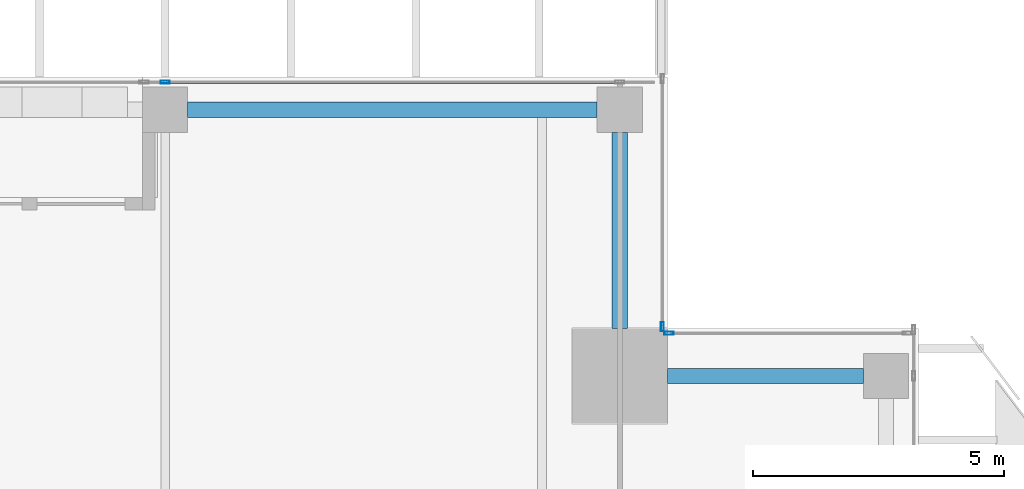
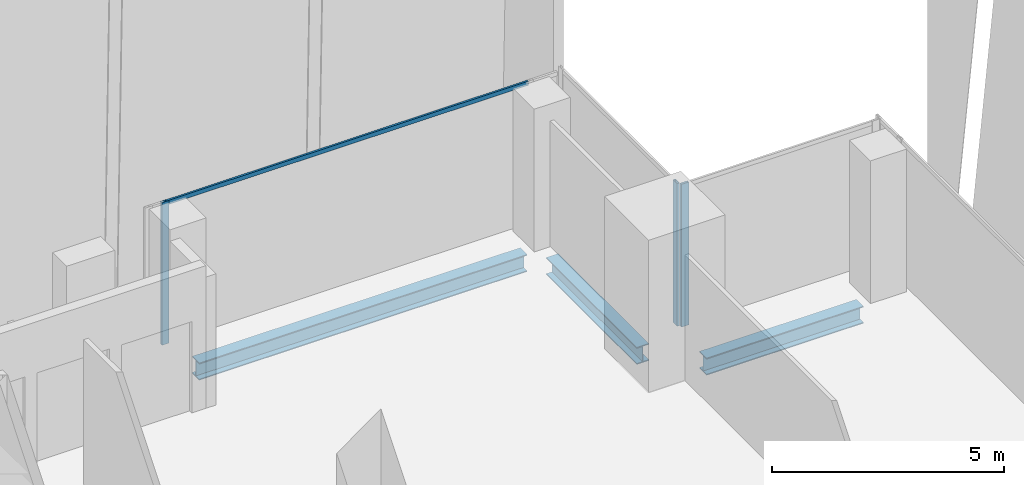
# One storey, part 18 of 33: 4 members, 3 beams, 3 elements without a shape of their own.
"""IFC4 building model written with IfcOpenShell, lengths in metres."""

from ifc_helpers import new_model, si_unit, direction, frame, origin, origin_2d, place, context, subcontext, project, spatial, hollow_rectangle, i_section, extrude, source, transform, mapped, material, material_profile, profile_set, type_object, element, aggregate, save


model = new_model("IFC4")

# Units and contexts
model_context = context("Model", 3, precision=1e-05, world=origin(), true_north=direction((0.0, 1.0)))
body_context = subcontext(model_context, "Body", "Model", "MODEL_VIEW")
ifc_project = project(units=[si_unit("LENGTHUNIT", "METRE"), si_unit("AREAUNIT", "SQUARE_METRE"), si_unit("VOLUMEUNIT", "CUBIC_METRE"), si_unit("PLANEANGLEUNIT", "RADIAN"), si_unit("MASSUNIT", "GRAM", prefix="KILO")], contexts=[model_context])

# Site, building, storey
site_placement = place(None, origin())
site = spatial("IfcSite", under=ifc_project, at=site_placement, CompositionType="ELEMENT")
building_placement = place(site_placement, origin())
building = spatial("IfcBuilding", under=site, at=building_placement, Name="Khomas Fold Tower", CompositionType="ELEMENT")
storey_placement = place(building_placement, frame((0.0, 0.0, 234.199951171875)))
storey = spatial("IfcBuildingStorey", under=building, at=storey_placement, Name="L52", CompositionType="ELEMENT", Elevation=234.199951171875)

# Beams
ifc_material_1 = material(Name="Steel S355", Category="steel")
ifc_material_profile_1 = material_profile(ifc_material_1, i_section(OverallWidth=0.300048828125, OverallDepth=0.449951171875, WebThickness=0.013916015625, FlangeThickness=0.02587890625, at=origin_2d()), Name="HE 450 B")
ifc_profile_set_1 = profile_set([ifc_material_profile_1], Name="Steel S355")
beam_type = type_object("IfcBeamType", Name="HE 450 B spandrel SB4", PredefinedType="SPANDREL", material=ifc_profile_set_1)
shared_shape_1 = source(origin(), body_context, "Body", "SweptSolid", [
    extrude(i_section(OverallWidth=0.300048828125, OverallDepth=0.449951171875, WebThickness=0.013916015625, FlangeThickness=0.02587890625, at=origin_2d()), origin(), (0.0, 0.0, 1.0), 8.150146484375),
])
beam_placement = place(storey_placement, frame((34.949951171875, 48.85009765625, -0.474853515625), z_axis=(1.0, 0.0, 0.0), x_axis=(0.0, 1.0, 0.0)))
element("IfcBeam", 1, at=beam_placement, inside=storey, type_object=beam_type, Name="SB4", PredefinedType="SPANDREL", context=body_context, shape_type="MappedRepresentation", body=[
    mapped(shared_shape_1, transform((0.0, 0.0, 0.0))),
])
shared_shape_2 = source(origin(), body_context, "Body", "SweptSolid", [
    extrude(i_section(OverallWidth=0.300048828125, OverallDepth=0.449951171875, WebThickness=0.013916015625, FlangeThickness=0.02587890625, at=origin_2d()), origin(), (0.0, 0.0, 1.0), 3.89990234375),
])
for number, where, z_axis, x_axis, name in (
    (2, (44.5, 43.550048828125, -0.474853515625), (1.0, 0.0, 0.0), (0.0, 1.0, 0.0), "SB4"),
    (3, (43.550048828125, 44.5, -0.474853515625), (0.0, 1.0, 0.0), (-1.0, 0.0, 0.0), "SB4"),
):
    element("IfcBeam", number, at=place(storey_placement, frame(where, z_axis=z_axis, x_axis=x_axis)), inside=storey, type_object=beam_type, Name=name, PredefinedType="SPANDREL", context=body_context, shape_type="MappedRepresentation", body=[
        mapped(shared_shape_2, transform((0.0, 0.0, 0.0))),
    ])

# Curtain wall, member
ifc_material_2 = material(Name="Aluminium framed double glazing", Category="aluminium")
curtain_wall_type = type_object("IfcCurtainWallType", Name="SK-Unitised clear-glass wall, office floors CW2", PredefinedType="NOTDEFINED", material=ifc_material_2)
curtain_wall_1_placement = place(storey_placement, origin())
curtain_wall_1 = element("IfcCurtainWall", 4, at=curtain_wall_1_placement, inside=storey, type_object=curtain_wall_type, Name="CW2 corner return L52 04", PredefinedType="NOTDEFINED")
ifc_material_3 = material(Name="Aluminium", Category="aluminium")
ifc_material_profile_2 = material_profile(ifc_material_3, hollow_rectangle(XDim=0.06005859375, YDim=0.179931640625, WallThickness=0.00390625, at=origin_2d()), Name="SK-Unitised clear-glass wall, office floors mullion CW2-M")
ifc_profile_set_2 = profile_set([ifc_material_profile_2], Name="Aluminium")
member_type_1 = type_object("IfcMemberType", Name="SK-Unitised clear-glass wall, office floors mullion CW2-M", PredefinedType="MULLION", material=ifc_profile_set_2)
shared_shape_3 = source(origin(), body_context, "Body", "SweptSolid", [
    extrude(hollow_rectangle(XDim=0.06005859375, YDim=0.179931640625, WallThickness=0.00390625, at=origin_2d()), origin(), (0.0, 0.0, 1.0), 3.75),
])
member_1_placement = place(storey_placement, frame((44.530029296875, 44.39990234375, 0.0), z_axis=(0.0, 0.0, 1.0), x_axis=(0.0, -1.0, 0.0)))
member_1 = element("IfcMember", 5, at=member_1_placement, type_object=member_type_1, Name="CW2 mullion 2", PredefinedType="MULLION", context=body_context, shape_type="MappedRepresentation", body=[
    mapped(shared_shape_3, transform((0.0, 0.0, 0.0))),
])
aggregate(curtain_wall_1, [member_1])

curtain_wall_2_placement = place(storey_placement, origin())
curtain_wall_2 = element("IfcCurtainWall", 6, at=curtain_wall_2_placement, inside=storey, type_object=curtain_wall_type, Name="CW2 corner return L52 05", PredefinedType="NOTDEFINED")
member_2_placement = place(storey_placement, frame((44.39990234375, 44.530029296875, 0.0), z_axis=(0.0, 0.0, 1.0), x_axis=(-1.0, 0.0, 0.0)))
member_2 = element("IfcMember", 7, at=member_2_placement, type_object=member_type_1, Name="CW2 mullion 1", PredefinedType="MULLION", context=body_context, shape_type="MappedRepresentation", body=[
    mapped(shared_shape_3, transform((0.0, 0.0, 0.0))),
])
aggregate(curtain_wall_2, [member_2])

# Curtain wall, members
curtain_wall_3_placement = place(storey_placement, origin())
curtain_wall_3 = element("IfcCurtainWall", 8, at=curtain_wall_3_placement, inside=storey, type_object=curtain_wall_type, Name="CW2 run L52 06-0", PredefinedType="NOTDEFINED")
member_3_placement = place(storey_placement, frame((34.5, 49.39990234375, 0.0), z_axis=(0.0, 0.0, 1.0), x_axis=(0.0, -1.0, 0.0)))
member_3 = element("IfcMember", 9, at=member_3_placement, type_object=member_type_1, Name="CW2 mullion 3", PredefinedType="MULLION", context=body_context, shape_type="MappedRepresentation", body=[
    mapped(shared_shape_3, transform((0.0, 0.0, 0.0))),
])
ifc_material_4 = material(Name="Aluminium", Category="aluminium")
ifc_material_profile_3 = material_profile(ifc_material_4, hollow_rectangle(XDim=0.050048828125, YDim=0.110107421875, WallThickness=0.00390625, at=origin_2d()), Name="SK-Unitised clear-glass wall, office floors transom CW2-T")
ifc_profile_set_3 = profile_set([ifc_material_profile_3], Name="Aluminium")
member_type_2 = type_object("IfcMemberType", Name="SK-Unitised clear-glass wall, office floors transom CW2-T", PredefinedType="USERDEFINED", material=ifc_profile_set_3)
shared_shape_4 = source(origin(), body_context, "Body", "SweptSolid", [
    extrude(hollow_rectangle(XDim=0.050048828125, YDim=0.110107421875, WallThickness=0.00390625, at=origin_2d()), origin(), (0.0, 0.0, 1.0), 8.989990234375),
])
member_4_placement = place(storey_placement, frame((43.52001953125, 49.39990234375, 3.695068359375), z_axis=(-1.0, 0.0, 0.0), x_axis=(0.0, -1.0, 0.0)))
member_4 = element("IfcMember", 10, at=member_4_placement, type_object=member_type_2, Name="CW2 transom 2", ObjectType="TRANSOM", PredefinedType="USERDEFINED", context=body_context, shape_type="MappedRepresentation", body=[
    mapped(shared_shape_4, transform((0.0, 0.0, 0.0))),
])
aggregate(curtain_wall_3, [member_3, member_4])

save(model, "model.ifc")
